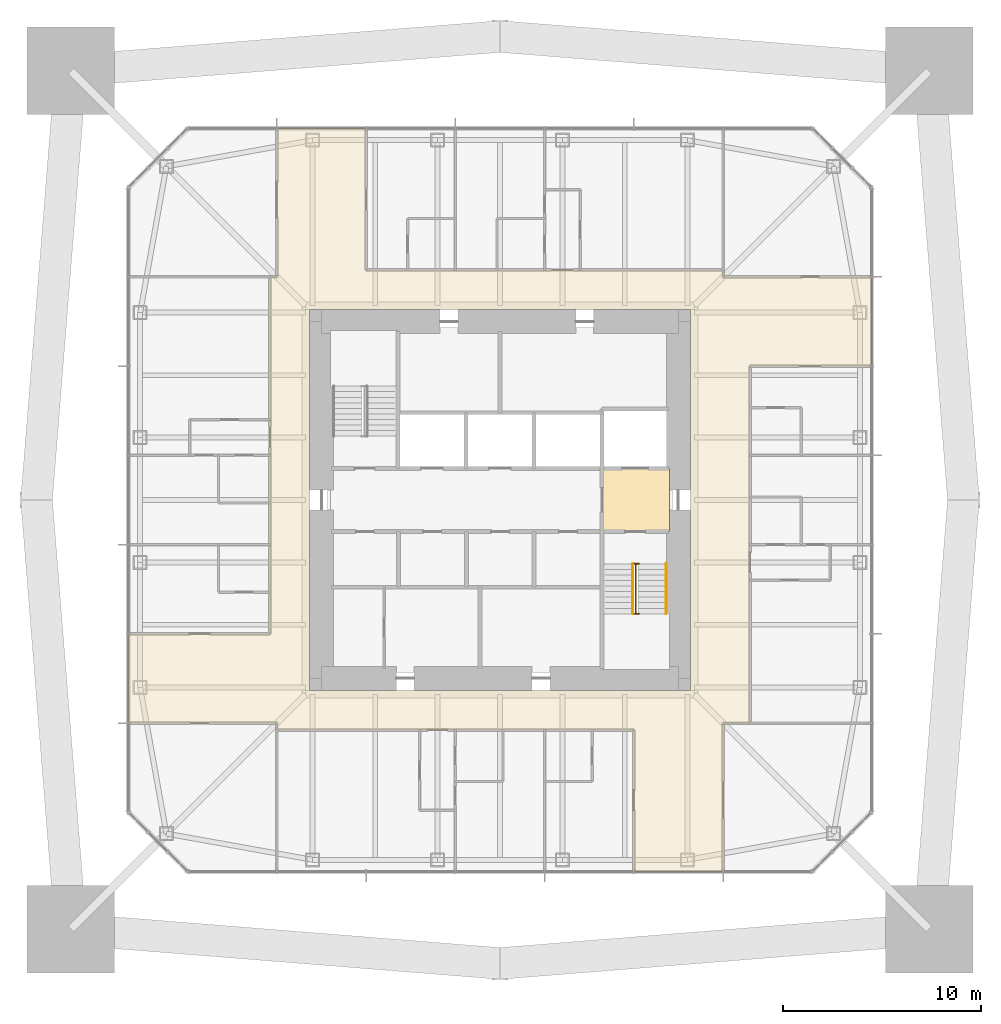
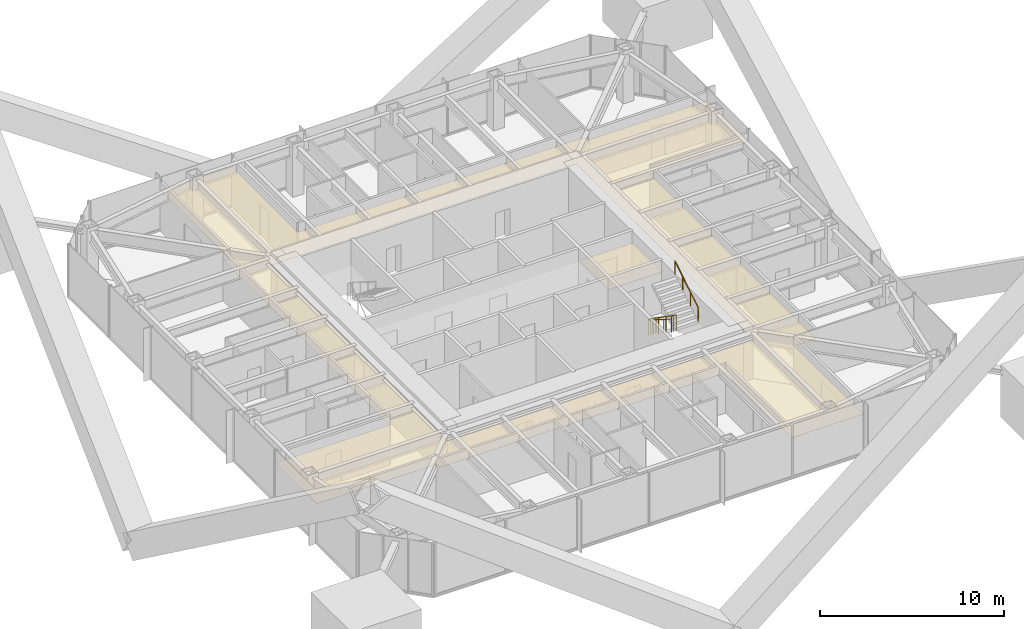
# One storey, part 12 of 13: 3 railings, 2 coverings.
"""IFC4 building model written with IfcOpenShell, lengths in metres."""

from ifc_helpers import new_model, si_unit, direction, frame, origin, origin_2d, place, context, subcontext, project, spatial, polyline, circle, outline, extrude, material, layer, layer_set, constituent, constituent_set, type_object, element, save


model = new_model("IFC4")

# Units and contexts
model_context = context("Model", 3, precision=1e-05, world=origin(), true_north=direction((0.0, 1.0)))
body_context = subcontext(model_context, "Body", "Model", "MODEL_VIEW")
ifc_project = project(units=[si_unit("LENGTHUNIT", "METRE"), si_unit("AREAUNIT", "SQUARE_METRE"), si_unit("VOLUMEUNIT", "CUBIC_METRE"), si_unit("PLANEANGLEUNIT", "RADIAN"), si_unit("MASSUNIT", "GRAM", prefix="KILO")], contexts=[model_context])

# Site, building, storey
site_placement = place(None, origin())
site = spatial("IfcSite", under=ifc_project, at=site_placement, CompositionType="ELEMENT")
building_placement = place(site_placement, origin())
building = spatial("IfcBuilding", under=site, at=building_placement, Name="Iwan Alto Co-Living Towers", CompositionType="ELEMENT")
storey_placement = place(building_placement, frame((0.0, 0.0, 167.0)))
storey = spatial("IfcBuildingStorey", under=building, at=storey_placement, Name="L45", CompositionType="ELEMENT", Elevation=167.0)

# Covering
ifc_material_1 = material(Name="Mineral fibre acoustic tiles on steel grid", Category="steel")
ifc_layer_1 = layer(ifc_material_1, 0.02001953125)
ifc_layer_set_1 = layer_set([ifc_layer_1], Name="ACOUSTIC TILE CEILING 20")
covering_type_1 = type_object("IfcCoveringType", Name="ACOUSTIC TILE CEILING 20", PredefinedType="CEILING", material=ifc_layer_set_1)
covering_1_placement = place(storey_placement, frame((0.0, 0.0, 2.60009765625)))
element("IfcCovering", 1, at=covering_1_placement, inside=storey, type_object=covering_type_1, Name="Ceiling Firefighting lobby L45", PredefinedType="CEILING", context=body_context, shape_type="SweptSolid", body=[
    extrude(outline(polyline([(5.14990234375, -1.60009765625), (5.14990234375, 1.60009765625), (8.550048828125, 1.60009765625), (8.550048828125, -1.60009765625), (5.14990234375, -1.60009765625)])), origin(), (0.0, 0.0, 1.0), 0.02001953125),
])

# Railings
ifc_material_2 = material(Name="Steel ASTM A500 Gr C", Category="steel")
ifc_constituent_1 = constituent(ifc_material_2, Name="Rails and posts", Category="Framing")
ifc_material_3 = material(Name="Steel ASTM A36", Category="steel")
ifc_constituent_2 = constituent(ifc_material_3, Name="Bar infill", Category="Infill")
ifc_constituent_set = constituent_set(constituents=[ifc_constituent_1, ifc_constituent_2], Name="STAIR GUARD 1100")
railing_type_1 = type_object("IfcRailingType", Name="STAIR GUARD 1100", PredefinedType="GUARDRAIL", material=ifc_constituent_set)
railing_1_placement = place(storey_placement, frame((6.85009765625, -3.219970703125, 0.0)))
element("IfcRailing", 2, at=railing_1_placement, inside=storey, type_object=railing_type_1, Name="Stair T1-S2 well guard L45", PredefinedType="GUARDRAIL", context=body_context, shape_type="SweptSolid", body=[
    extrude(circle(Radius=0.02392578125, at=origin_2d()), frame((0.0, 0.0, 1.076171875), z_axis=(0.0, -0.821372036852, 0.570392826987), x_axis=(1.0, 0.0, 0.0)), (0.0, 0.0, 1.0), 3.068115234375),
    extrude(circle(Radius=0.02392578125, at=origin_2d()), frame((-0.150146484375, 0.0, 1.076171875), z_axis=(1.0, 0.0, 0.0), x_axis=(0.0, 1.0, 0.0)), (0.0, 0.0, 1.0), 0.300048828125),
    extrude(circle(Radius=0.02392578125, at=origin_2d()), frame((-0.150146484375, -2.52001953125, 2.826171875), z_axis=(1.0, 0.0, 0.0), x_axis=(0.0, 1.0, 0.0)), (0.0, 0.0, 1.0), 0.300048828125),
    extrude(circle(Radius=0.02099609375, at=origin_2d()), origin(), (0.0, 0.0, 1.0), 1.052001953125),
    extrude(circle(Radius=0.02099609375, at=origin_2d()), frame((0.0, -0.840087890625, 0.583251953125)), (0.0, 0.0, 1.0), 1.052001953125),
    extrude(circle(Radius=0.02099609375, at=origin_2d()), frame((0.0, -1.679931640625, 1.166748046875)), (0.0, 0.0, 1.0), 1.052001953125),
    extrude(circle(Radius=0.02099609375, at=origin_2d()), frame((0.0, -2.52001953125, 1.75)), (0.0, 0.0, 1.0), 1.052001953125),
    extrude(circle(Radius=0.02099609375, at=origin_2d()), frame((-0.150146484375, 0.0, 0.0)), (0.0, 0.0, 1.0), 1.052001953125),
    extrude(circle(Radius=0.02099609375, at=origin_2d()), frame((0.14990234375, 0.0, 0.0)), (0.0, 0.0, 1.0), 1.052001953125),
    extrude(circle(Radius=0.02099609375, at=origin_2d()), frame((-0.150146484375, -2.52001953125, 1.75)), (0.0, 0.0, 1.0), 1.052001953125),
    extrude(circle(Radius=0.02099609375, at=origin_2d()), frame((0.14990234375, -2.52001953125, 1.75)), (0.0, 0.0, 1.0), 1.052001953125),
])
ifc_material_4 = material(Name="Steel ASTM A500 Gr C", Category="steel")
railing_type_2 = type_object("IfcRailingType", Name="STAIR HANDRAIL 900", PredefinedType="HANDRAIL", material=ifc_material_4)
railing_2_placement = place(storey_placement, frame((6.699951171875, -3.219970703125, 0.175048828125)))
element("IfcRailing", 3, at=railing_2_placement, inside=storey, type_object=railing_type_2, Name="Stair T1-S2 handrail 1 L45", PredefinedType="HANDRAIL", context=body_context, shape_type="SweptSolid", body=[
    extrude(circle(Radius=0.02392578125, at=origin_2d()), frame((0.0, 0.0, 0.8759765625), z_axis=(0.0, -0.848007534815, 0.529984170421), x_axis=(1.0, 0.0, 0.0)), (0.0, 0.0, 1.0), 2.9716796875),
    extrude(circle(Radius=0.02099609375, at=origin_2d()), origin(), (0.0, 0.0, 1.0), 0.851806640625),
    extrude(circle(Radius=0.02099609375, at=origin_2d()), frame((0.0, -0.840087890625, 0.52490234375)), (0.0, 0.0, 1.0), 0.851806640625),
    extrude(circle(Radius=0.02099609375, at=origin_2d()), frame((0.0, -1.679931640625, 1.050048828125)), (0.0, 0.0, 1.0), 0.851806640625),
    extrude(circle(Radius=0.02099609375, at=origin_2d()), frame((0.0, -2.52001953125, 1.574951171875)), (0.0, 0.0, 1.0), 0.851806640625),
])
railing_3_placement = place(storey_placement, frame((8.3798828125, -5.739990234375, 1.925048828125)))
element("IfcRailing", 4, at=railing_3_placement, inside=storey, type_object=railing_type_2, Name="Stair T1-S2 handrail 2 L45", PredefinedType="HANDRAIL", context=body_context, shape_type="SweptSolid", body=[
    extrude(circle(Radius=0.02392578125, at=origin_2d()), frame((0.0, 0.0, 0.8759765625), z_axis=(0.0, 0.848007534815, 0.529984170421), x_axis=(-1.0, 0.0, 0.0)), (0.0, 0.0, 1.0), 2.9716796875),
    extrude(circle(Radius=0.02099609375, at=origin_2d()), origin(), (0.0, 0.0, 1.0), 0.851806640625),
    extrude(circle(Radius=0.02099609375, at=origin_2d()), frame((0.0, 0.840087890625, 0.52490234375)), (0.0, 0.0, 1.0), 0.851806640625),
    extrude(circle(Radius=0.02099609375, at=origin_2d()), frame((0.0, 1.679931640625, 1.050048828125)), (0.0, 0.0, 1.0), 0.851806640625),
    extrude(circle(Radius=0.02099609375, at=origin_2d()), frame((0.0, 2.52001953125, 1.574951171875)), (0.0, 0.0, 1.0), 0.851806640625),
])

# Covering
ifc_material_5 = material(Name="Gypsum plasterboard on steel grid", Category="steel")
ifc_layer_2 = layer(ifc_material_5, 0.014892578125)
ifc_layer_set_2 = layer_set([ifc_layer_2], Name="SUSPENDED PLASTERBOARD CEILING 15")
covering_type_2 = type_object("IfcCoveringType", Name="SUSPENDED PLASTERBOARD CEILING 15", PredefinedType="CEILING", material=ifc_layer_set_2)
covering_2_placement = place(storey_placement, frame((0.0, 0.0, 2.60009765625)))
element("IfcCovering", 5, at=covering_2_placement, inside=storey, type_object=covering_type_2, Name="Ceiling Corridor L45", PredefinedType="CEILING", context=body_context, shape_type="SweptSolid", body=[
    extrude(outline(polyline([(-18.75, -11.25), (-18.75, -6.75), (-11.60009765625, -6.75), (-11.60009765625, 11.25), (-11.25, 11.25), (-11.25, 11.60009765625), (-11.25, 18.75), (-6.75, 18.75), (-6.75, 11.60009765625), (11.25, 11.60009765625), (11.25, 11.25), (12.60009765625, 11.25), (18.75, 11.25), (18.75, 6.75), (12.60009765625, 6.75), (12.60009765625, -11.25), (11.25, -11.25), (11.25, -11.60009765625), (11.25, -18.75), (6.75, -18.75), (6.75, -11.60009765625), (-11.25, -11.60009765625), (-11.25, -11.25), (-11.60009765625, -11.25), (-18.75, -11.25)]), holes=[polyline([(9.60009765625, 9.60009765625), (-9.60009765625, 9.60009765625), (-9.60009765625, -9.60009765625), (9.60009765625, -9.60009765625), (9.60009765625, 9.60009765625)])]), origin(), (0.0, 0.0, 1.0), 0.014892578125),
])

save(model, "model.ifc")
